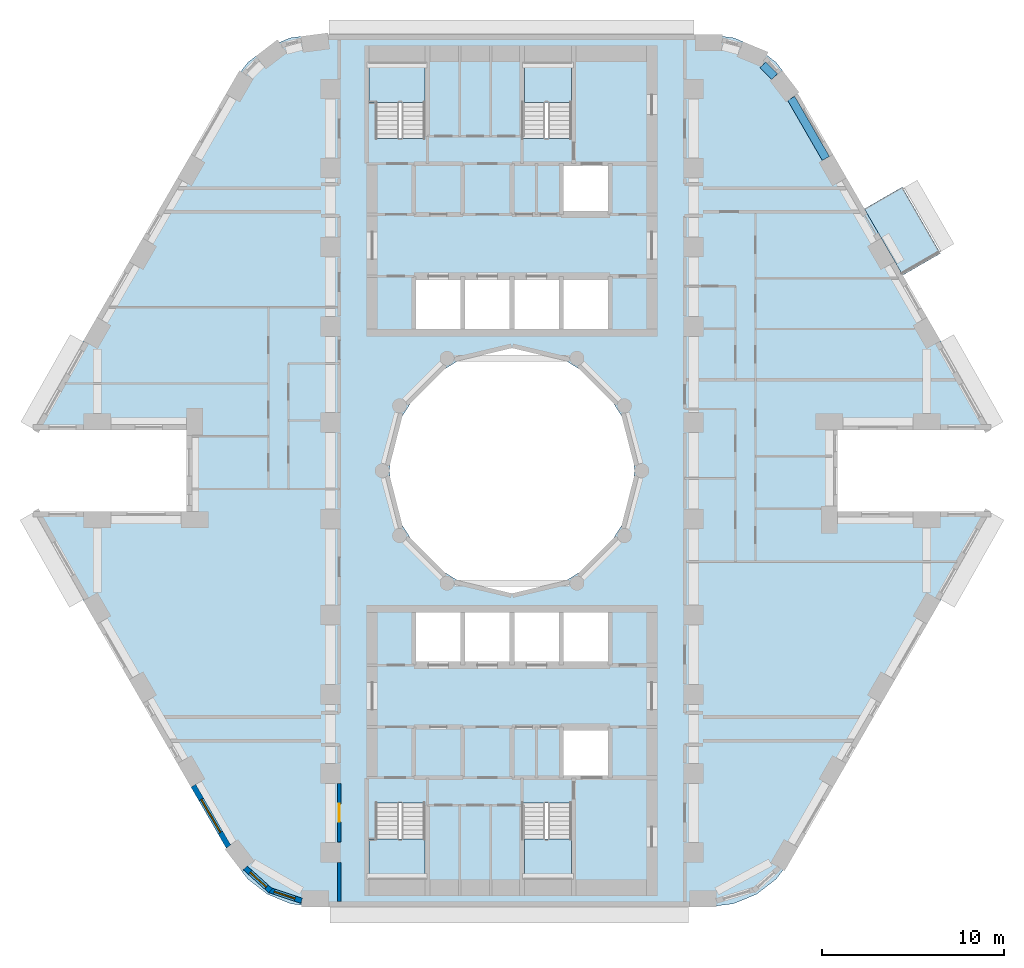
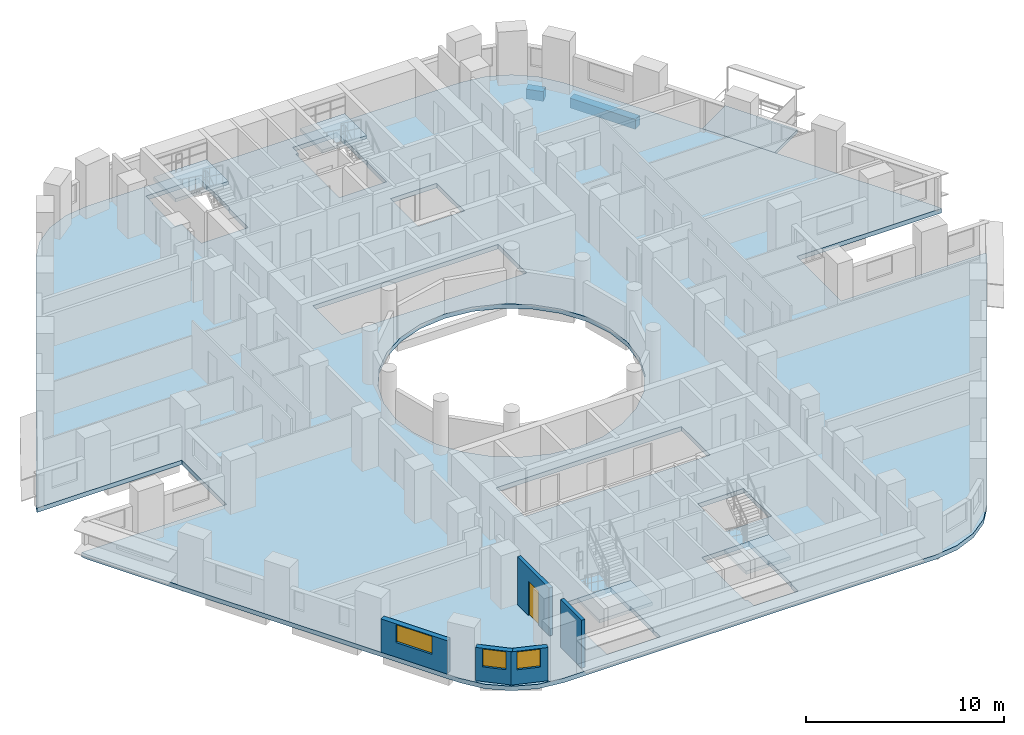
# One storey, part 2 of 13: 6 slabs, 5 walls, 3 windows, 2 beams, 1 door, 4 openings, 4 elements without a shape of their own.
"""IFC4 building model written with IfcOpenShell, lengths in metres."""

import ifcopenshell
import ifcopenshell.guid

model = None  # the IFC model being written
_history = None  # IfcOwnerHistory: only IFC2X3 demands one
_inside = {}  # id of a spatial element -> (the spatial element, [elements in it])
_under = {}  # id of a project, library or spatial element -> (it, [spatial elements below it])
_declared = {}  # id of a project -> (the project, [libraries it declares])
_typed = {}  # id of a type object -> (the type object, [elements of that type])
_made_of = {}  # id of a material, layer set ... -> (it, [elements and type objects made of it])


def new_model(schema):
    """Start an empty IFC model of exactly this schema.

    Asked for "IFC4X3", IfcOpenShell would pick the latest addendum, in which some entities
    have other attributes; the version numbers below select the first issue.
    IFC2X3 requires an IfcOwnerHistory on every rooted entity: one is made here for all.
    """
    global model, _history
    if schema == "IFC4X3":
        model = ifcopenshell.file(schema_version=(4, 3, 0, 0))
    else:
        model = ifcopenshell.file(schema=schema)
    _inside.clear()
    _under.clear()
    _declared.clear()
    _typed.clear()
    _made_of.clear()
    _history = None
    if model.schema == "IFC2X3":
        org = make("IfcOrganization", Name="unknown")
        user = make(
            "IfcPersonAndOrganization",
            ThePerson=make("IfcPerson", FamilyName="unknown"),
            TheOrganization=org,
        )
        app = make(
            "IfcApplication",
            ApplicationDeveloper=org,
            Version="unknown",
            ApplicationFullName="unknown",
            ApplicationIdentifier="unknown",
        )
        _history = make(
            "IfcOwnerHistory",
            OwningUser=user,
            OwningApplication=app,
            ChangeAction="ADDED",
            CreationDate=0,
        )
    return model


def make(cls, **values):
    """One entity of the class cls with the attributes given. An attribute that is None is left unset."""
    return model.create_entity(
        cls, **{name: value for name, value in values.items() if value is not None}
    )


def rooted(cls, **values):
    """An entity with a GlobalId (a new one), such as an element, a storey or a relation."""
    return make(cls, GlobalId=ifcopenshell.guid.new(), OwnerHistory=_history, **values)


def si_unit(unit_type, name, prefix=None):
    """IfcSIUnit, for example si_unit("LENGTHUNIT", "METRE", prefix="MILLI")."""
    return make("IfcSIUnit", UnitType=unit_type, Prefix=prefix, Name=name)


def assignment(units):
    """IfcUnitAssignment: the units of a project."""
    return None if units is None else make("IfcUnitAssignment", Units=units)


def point(xyz):
    """IfcCartesianPoint."""
    return None if xyz is None else make("IfcCartesianPoint", Coordinates=xyz)


def direction(xyz):
    """IfcDirection."""
    return None if xyz is None else make("IfcDirection", DirectionRatios=xyz)


def frame(location, z_axis=None, x_axis=None):
    """IfcAxis2Placement3D, a coordinate frame: its origin and axes. An axis left out is left unset."""
    return make(
        "IfcAxis2Placement3D",
        Location=point(location),
        Axis=direction(z_axis),
        RefDirection=direction(x_axis),
    )


def frame_2d(location, x_axis=None):
    """IfcAxis2Placement2D, a coordinate frame in the plane: its origin and x axis."""
    return make(
        "IfcAxis2Placement2D", Location=point(location), RefDirection=direction(x_axis)
    )


def origin():
    """The frame at (0, 0, 0) with its axes left unset."""
    return frame((0.0, 0.0, 0.0))


def origin_2d():
    """The frame at (0, 0) in the plane with its x axis left unset."""
    return frame_2d((0.0, 0.0))


def place(relative_to, where):
    """IfcLocalPlacement: puts the frame where relative to a parent placement (None: the world)."""
    return make(
        "IfcLocalPlacement", PlacementRelTo=relative_to, RelativePlacement=where
    )


def context(
    kind, dimensions, precision=None, world=None, true_north=None, identifier=None
):
    """IfcGeometricRepresentationContext, for example the 3D "Model" context."""
    return make(
        "IfcGeometricRepresentationContext",
        ContextIdentifier=identifier,
        ContextType=kind,
        CoordinateSpaceDimension=dimensions,
        Precision=precision,
        WorldCoordinateSystem=world,
        TrueNorth=true_north,
    )


def subcontext(parent, identifier, kind, view, scale=None):
    """IfcGeometricRepresentationSubContext, for example "Body" below "Model"."""
    return make(
        "IfcGeometricRepresentationSubContext",
        ContextIdentifier=identifier,
        ContextType=kind,
        ParentContext=parent,
        TargetScale=scale,
        TargetView=view,
    )


def project(units=None, contexts=None):
    """IfcProject with its units and contexts."""
    return rooted(
        "IfcProject",
        Name="project",
        RepresentationContexts=contexts,
        UnitsInContext=assignment(units),
    )


def spatial(cls, under=None, at=None, **own):
    """A site, building, storey or space (cls), placed at a placement, below another one or the project."""
    s = rooted(cls, ObjectPlacement=at, **own)
    if under is not None:
        _under.setdefault(under.id(), (under, []))[1].append(s)
    return s


def polyline(points):
    """IfcPolyline through the points."""
    return make("IfcPolyline", Points=[point(p) for p in points])


def profile(cls, at=None, kind="AREA", **sizes):
    """A parametric profile (cls). Its sizes go by their IFC names, for example OverallWidth=200.0."""
    return make(cls, ProfileType=kind, Position=at, **sizes)


def rectangle(**sizes):
    """IfcRectangleProfileDef."""
    return profile("IfcRectangleProfileDef", **sizes)


def outline(outer, holes=None, kind="AREA"):
    """IfcArbitraryClosedProfileDef: a profile drawn as a closed curve; with holes, ...WithVoids."""
    if holes is None:
        return make("IfcArbitraryClosedProfileDef", ProfileType=kind, OuterCurve=outer)
    return make(
        "IfcArbitraryProfileDefWithVoids",
        ProfileType=kind,
        OuterCurve=outer,
        InnerCurves=holes,
    )


def extrude(swept, where, along, depth):
    """IfcExtrudedAreaSolid: the profile swept, set in the frame where, extruded along a direction by depth."""
    return make(
        "IfcExtrudedAreaSolid",
        SweptArea=swept,
        Position=where,
        ExtrudedDirection=direction(along),
        Depth=depth,
    )


def shape(context_of_items, identifier, shape_type, items):
    """IfcShapeRepresentation: the items that make up one representation, for example the "Body"."""
    return make(
        "IfcShapeRepresentation",
        ContextOfItems=context_of_items,
        RepresentationIdentifier=identifier,
        RepresentationType=shape_type,
        Items=items,
    )


def material(Name=None, Category=None):
    """IfcMaterial."""
    return make("IfcMaterial", Name=Name, Category=Category)


def layer(
    of_material, thickness, ventilated=None, Name=None, Category=None, Priority=None
):
    """IfcMaterialLayer: one layer of a wall or slab, of a material (None: an air gap)."""
    return make(
        "IfcMaterialLayer",
        Material=of_material,
        LayerThickness=thickness,
        IsVentilated=ventilated,
        Name=Name,
        Category=Category,
        Priority=Priority,
    )


def layer_set(layers, Name=None):
    """IfcMaterialLayerSet."""
    return make("IfcMaterialLayerSet", MaterialLayers=layers, LayerSetName=Name)


def material_profile(
    of_material, cross_section, Name=None, Category=None, Priority=None
):
    """IfcMaterialProfile: a cross section and its material."""
    return make(
        "IfcMaterialProfile",
        Name=Name,
        Material=of_material,
        Profile=cross_section,
        Priority=Priority,
        Category=Category,
    )


def profile_set(profiles, Name=None, composite=None):
    """IfcMaterialProfileSet."""
    return make(
        "IfcMaterialProfileSet",
        Name=Name,
        MaterialProfiles=profiles,
        CompositeProfile=composite,
    )


def made_of(thing, what):
    """Note that an element or type object is made of a material, layer set ...; save() writes the relation."""
    if what is not None:
        _made_of.setdefault(what.id(), (what, []))[1].append(thing)
    return thing


def type_object(cls, material=None, **own):
    """A type object (cls), such as IfcWallType, which elements share."""
    return made_of(rooted(cls, **own), material)


def element(
    cls,
    number,
    at=None,
    inside=None,
    cuts=None,
    type_object=None,
    material=None,
    context=None,
    identifier="Body",
    shape_type=None,
    held_by="IfcProductDefinitionShape",
    body=None,
    shapes=None,
    **own,
):
    """One element of the class cls, such as IfcWall. Its Tag is "e" and its number.

    at: its placement. inside: the storey or other place that contains it. cuts: it is an
    opening in that element (IfcRelVoidsElement). A single representation is given by context,
    identifier, shape_type and body (its items); several are given by shapes. held_by: the class
    of the entity that holds the representations. save() writes the other relations.
    """
    e = rooted(cls, Tag="e%d" % number, ObjectPlacement=at, **own)
    if body is not None:
        shapes = [shape(context, identifier, shape_type, body)]
    if shapes is not None:
        e.Representation = make(held_by, Representations=shapes)
    if inside is not None:
        _inside.setdefault(inside.id(), (inside, []))[1].append(e)
    if cuts is not None:
        rooted(
            "IfcRelVoidsElement", RelatingBuildingElement=cuts, RelatedOpeningElement=e
        )
    if type_object is not None:
        _typed.setdefault(type_object.id(), (type_object, []))[1].append(e)
    return made_of(e, material)


def fill(opening, filler):
    """IfcRelFillsElement: the door or window that sits in an opening."""
    return rooted(
        "IfcRelFillsElement",
        RelatingOpeningElement=opening,
        RelatedBuildingElement=filler,
    )


def aggregate(whole, parts):
    """IfcRelAggregates: a whole, such as a stair, and the parts it consists of."""
    return rooted("IfcRelAggregates", RelatingObject=whole, RelatedObjects=parts)


def save(model, path):
    """Write the relations noted so far, then the file.

    IfcRelAggregates (storeys below a building ...), IfcRelContainedInSpatialStructure (elements
    in a storey), IfcRelDefinesByType, IfcRelAssociatesMaterial and IfcRelDeclares: one each for
    every whole, place, type object, material and project.
    """
    for whole, parts in _under.values():
        aggregate(whole, parts)
    for where, things in _inside.values():
        rooted(
            "IfcRelContainedInSpatialStructure",
            RelatedElements=things,
            RelatingStructure=where,
        )
    for kind, things in _typed.values():
        rooted("IfcRelDefinesByType", RelatedObjects=things, RelatingType=kind)
    for what, things in _made_of.values():
        rooted("IfcRelAssociatesMaterial", RelatedObjects=things, RelatingMaterial=what)
    for by, libraries in _declared.values():
        rooted("IfcRelDeclares", RelatingContext=by, RelatedDefinitions=libraries)
    model.write(path)


model = new_model("IFC4")

# Units and contexts
model_context = context("Model", 3, precision=1e-05, world=origin(), true_north=direction((0.0, 1.0)))
body_context = subcontext(model_context, "Body", "Model", "MODEL_VIEW")
ifc_project = project(units=[si_unit("LENGTHUNIT", "METRE"), si_unit("AREAUNIT", "SQUARE_METRE"), si_unit("VOLUMEUNIT", "CUBIC_METRE"), si_unit("PLANEANGLEUNIT", "RADIAN"), si_unit("MASSUNIT", "GRAM", prefix="KILO")], contexts=[model_context])

# Site, building, storey
site_placement = place(None, origin())
site = spatial("IfcSite", under=ifc_project, at=site_placement, CompositionType="ELEMENT")
building_placement = place(site_placement, origin())
building = spatial("IfcBuilding", under=site, at=building_placement, Name="Nakaniwa Court", CompositionType="ELEMENT")
storey_placement = place(building_placement, frame((0.0, 0.0, 67.800048828125)))
storey = spatial("IfcBuildingStorey", under=building, at=storey_placement, Name="L18", CompositionType="ELEMENT", Elevation=67.800048828125)

# Beams
ifc_material_1 = material(Name="Concrete C100/115", Category="concrete")
ifc_material_profile = material_profile(ifc_material_1, rectangle(XDim=0.449951171875, YDim=0.60009765625, at=origin_2d()), Name="Concrete C100/115 RC 450x600 spandrel beam")
ifc_profile_set = profile_set([ifc_material_profile], Name="Concrete C100/115")
beam_type = type_object("IfcBeamType", Name="Concrete C100/115 RC 450x600 spandrel beam", PredefinedType="BEAM", material=ifc_profile_set)
beam_1_placement = place(storey_placement, frame((97.2705078125, 97.1865234375, -0.574951171875), z_axis=(-0.500023067617, 0.86601208528, 0.0), x_axis=(-0.86601208528, -0.500023067617, 0.0)))
element("IfcBeam", 1, at=beam_1_placement, inside=storey, type_object=beam_type, Name="SPANDREL BEAM", PredefinedType="BEAM", context=body_context, shape_type="SweptSolid", body=[
    extrude(rectangle(XDim=0.449951171875, YDim=0.60009765625, at=origin_2d()), origin(), (0.0, 0.0, 1.0), 3.819580078125),
])
beam_2_placement = place(storey_placement, frame((94.448486328125, 101.68505859375, -0.574951171875), z_axis=(-0.705908410536, 0.708303124329, 0.0), x_axis=(-0.708303124329, -0.705908410536, 0.0)))
element("IfcBeam", 2, at=beam_2_placement, inside=storey, type_object=beam_type, Name="SPANDREL BEAM", PredefinedType="BEAM", context=body_context, shape_type="SweptSolid", body=[
    extrude(rectangle(XDim=0.449951171875, YDim=0.60009765625, at=origin_2d()), origin(), (0.0, 0.0, 1.0), 0.91748046875),
])

# Slabs
ifc_material_2 = material(Name="Charcoal ceramic paver")
ifc_layer_1 = layer(ifc_material_2, 0.02, Name="Ceramic paver")
ifc_material_3 = material(Name="Cement sand screed")
ifc_layer_2 = layer(ifc_material_3, 0.03, Name="Falls screed")
ifc_material_4 = material(Name="Concrete C40/50", Category="concrete")
ifc_layer_3 = layer(ifc_material_4, 0.15, Name="Balcony slab")
ifc_layer_set_1 = layer_set([ifc_layer_1, ifc_layer_2, ifc_layer_3], Name="Concrete C40/50 balcony slab with ceramic paver finish")
slab_type_1 = type_object("IfcSlabType", Name="Balcony slab 200", PredefinedType="FLOOR", material=ifc_layer_set_1)
slab_1_placement = place(storey_placement, frame((0.0, 0.0, -0.25)))
element("IfcSlab", 3, at=slab_1_placement, inside=storey, type_object=slab_type_1, Name="L18 balcony 01", PredefinedType="FLOOR", context=body_context, shape_type="SweptSolid", body=[
    extrude(outline(polyline([(101.50048828125, 90.760009765625), (99.393310546875, 94.409912109375), (101.4716796875, 95.610107421875), (103.5791015625, 91.9599609375), (101.50048828125, 90.760009765625)])), origin(), (0.0, 0.0, 1.0), 0.199951171875),
])
ifc_layer_4 = layer(ifc_material_1, 0.27490234375)
ifc_layer_set_2 = layer_set([ifc_layer_4], Name="Concrete C100/115")
slab_type_2 = type_object("IfcSlabType", Name="Concrete C100/115 post tensioned floor slab 275", PredefinedType="FLOOR", material=ifc_layer_set_2)
slab_2_placement = place(storey_placement, frame((0.0, 0.0, -0.275146484375)))
element("IfcSlab", 4, at=slab_2_placement, inside=storey, type_object=slab_type_2, Name="FLOOR SLAB", PredefinedType="FLOOR", context=body_context, shape_type="SweptSolid", body=[
    extrude(outline(polyline([(97.908447265625, 82.25), (106.356689453125, 82.25), (106.211669921875, 82.60009765625), (95.357421875, 101.39990234375), (94.531005859375, 102.47705078125), (93.4541015625, 103.30322265625), (92.199951171875, 103.82275390625), (90.854248046875, 104.0), (69.145751953125, 104.0), (67.800048828125, 103.82275390625), (66.5458984375, 103.30322265625), (65.468994140625, 102.47705078125), (64.642578125, 101.39990234375), (53.788330078125, 82.60009765625), (53.643310546875, 82.25), (62.091552734375, 82.25), (62.091552734375, 77.75), (53.643310546875, 77.75), (53.788330078125, 77.39990234375), (64.642578125, 58.60009765625), (65.468994140625, 57.52294921875), (66.5458984375, 56.69677734375), (67.800048828125, 56.17724609375), (69.145751953125, 56.0), (90.854248046875, 56.0), (92.199951171875, 56.17724609375), (93.4541015625, 56.69677734375), (94.531005859375, 57.52294921875), (95.357421875, 58.60009765625), (106.211669921875, 77.39990234375), (106.356689453125, 77.75), (97.908447265625, 77.75), (97.908447265625, 82.25)]), holes=[polyline([(81.501953125, 86.580810546875), (80.0, 86.75), (78.498046875, 86.580810546875), (77.0712890625, 86.08154296875), (75.79150390625, 85.27734375), (74.72265625, 84.20849609375), (73.91845703125, 82.9287109375), (73.419189453125, 81.501953125), (73.25, 80.0), (73.419189453125, 78.498046875), (73.91845703125, 77.0712890625), (74.72265625, 75.79150390625), (75.79150390625, 74.72265625), (77.0712890625, 73.91845703125), (78.498046875, 73.419189453125), (80.0, 73.25), (81.501953125, 73.419189453125), (82.9287109375, 73.91845703125), (84.20849609375, 74.72265625), (85.27734375, 75.79150390625), (86.08154296875, 77.0712890625), (86.580810546875, 78.498046875), (86.75, 80.0), (86.580810546875, 81.501953125), (86.08154296875, 82.9287109375), (85.27734375, 84.20849609375), (84.20849609375, 85.27734375), (82.9287109375, 86.08154296875), (81.501953125, 86.580810546875)]), polyline([(75.264892578125, 57.4599609375), (75.264892578125, 59.764892578125), (75.22509765625, 59.764892578125), (75.22509765625, 61.7099609375), (72.47509765625, 61.7099609375), (72.47509765625, 59.764892578125), (72.0849609375, 59.764892578125), (72.0849609375, 57.4599609375), (72.125, 57.4599609375), (72.125, 56.72509765625), (75.22509765625, 56.72509765625), (75.22509765625, 57.324951171875), (75.22509765625, 57.4599609375), (75.264892578125, 57.4599609375)]), polyline([(80.0, 69.300048828125), (82.699951171875, 69.300048828125), (85.39990234375, 69.300048828125), (85.39990234375, 72.199951171875), (82.699951171875, 72.199951171875), (80.0, 72.199951171875), (77.300048828125, 72.199951171875), (74.60009765625, 72.199951171875), (74.60009765625, 69.300048828125), (77.300048828125, 69.300048828125), (80.0, 69.300048828125)]), polyline([(80.0, 87.800048828125), (82.699951171875, 87.800048828125), (85.39990234375, 87.800048828125), (85.39990234375, 90.699951171875), (82.699951171875, 90.699951171875), (80.0, 90.699951171875), (77.300048828125, 90.699951171875), (74.60009765625, 90.699951171875), (74.60009765625, 87.800048828125), (77.300048828125, 87.800048828125), (80.0, 87.800048828125)]), polyline([(75.264892578125, 100.235107421875), (75.264892578125, 102.5400390625), (75.22509765625, 102.5400390625), (75.22509765625, 102.675048828125), (75.22509765625, 103.27490234375), (72.125, 103.27490234375), (72.125, 102.5400390625), (72.0849609375, 102.5400390625), (72.0849609375, 100.235107421875), (72.47509765625, 100.235107421875), (72.47509765625, 98.2900390625), (75.22509765625, 98.2900390625), (75.22509765625, 100.235107421875), (75.264892578125, 100.235107421875)]), polyline([(83.27490234375, 61.7099609375), (80.52490234375, 61.7099609375), (80.52490234375, 57.324951171875), (80.675048828125, 57.324951171875), (80.675048828125, 56.72509765625), (83.27490234375, 56.72509765625), (83.27490234375, 57.324951171875), (83.27490234375, 57.4599609375), (83.31494140625, 57.4599609375), (83.31494140625, 59.764892578125), (83.27490234375, 59.764892578125), (83.27490234375, 61.7099609375)]), polyline([(85.39990234375, 65.89990234375), (82.699951171875, 65.89990234375), (82.699951171875, 63.10009765625), (85.39990234375, 63.10009765625), (85.39990234375, 65.89990234375)]), polyline([(85.39990234375, 96.89990234375), (82.699951171875, 96.89990234375), (82.699951171875, 94.10009765625), (85.39990234375, 94.10009765625), (85.39990234375, 96.89990234375)]), polyline([(83.27490234375, 100.235107421875), (83.31494140625, 100.235107421875), (83.31494140625, 102.5400390625), (83.27490234375, 102.5400390625), (83.27490234375, 102.675048828125), (83.27490234375, 103.27490234375), (80.675048828125, 103.27490234375), (80.675048828125, 102.675048828125), (80.52490234375, 102.675048828125), (80.52490234375, 98.2900390625), (83.27490234375, 98.2900390625), (83.27490234375, 100.235107421875)])]), origin(), (0.0, 0.0, 1.0), 0.275146484375),
])

# Stair, slab
ifc_material_5 = material(Name="Concrete C80/100", Category="concrete")
stair_type = type_object("IfcStairType", Name="Dog leg stair 1300 wide 18 risers", PredefinedType="HALF_TURN_STAIR", material=ifc_material_5)
stair_1_placement = place(storey_placement, origin())
stair_1 = element("IfcStair", 5, at=stair_1_placement, inside=storey, type_object=stair_type, Name="L18 Stair ST1", PredefinedType="HALF_TURN_STAIR")
ifc_layer_5 = layer(ifc_material_5, 0.199951171875)
ifc_layer_set_3 = layer_set([ifc_layer_5], Name="Concrete C80/100")
slab_type_3 = type_object("IfcSlabType", Name="Stair landing concrete", PredefinedType="LANDING", material=ifc_layer_set_3)
slab_3_placement = place(storey_placement, frame((0.0, 0.0, 1.449951171875)))
slab_3 = element("IfcSlab", 6, at=slab_3_placement, type_object=slab_type_3, Name="ST1 landing 1", PredefinedType="LANDING", context=body_context, shape_type="SweptSolid", body=[
    extrude(outline(polyline([(75.22509765625, 100.27490234375), (75.22509765625, 102.5), (72.125, 102.5), (72.125, 100.27490234375), (75.22509765625, 100.27490234375)])), origin(), (0.0, 0.0, 1.0), 0.199951171875),
])
aggregate(stair_1, [slab_3])

stair_2_placement = place(storey_placement, origin())
stair_2 = element("IfcStair", 7, at=stair_2_placement, inside=storey, type_object=stair_type, Name="L18 Stair ST2", PredefinedType="HALF_TURN_STAIR")
slab_4_placement = place(storey_placement, frame((0.0, 0.0, 1.449951171875)))
slab_4 = element("IfcSlab", 8, at=slab_4_placement, type_object=slab_type_3, Name="ST2 landing 1", PredefinedType="LANDING", context=body_context, shape_type="SweptSolid", body=[
    extrude(outline(polyline([(83.27490234375, 100.27490234375), (83.27490234375, 102.5), (80.675048828125, 102.5), (80.675048828125, 100.27490234375), (83.27490234375, 100.27490234375)])), origin(), (0.0, 0.0, 1.0), 0.199951171875),
])
aggregate(stair_2, [slab_4])

stair_3_placement = place(storey_placement, origin())
stair_3 = element("IfcStair", 9, at=stair_3_placement, inside=storey, type_object=stair_type, Name="L18 Stair ST3", PredefinedType="HALF_TURN_STAIR")
slab_5_placement = place(storey_placement, frame((0.0, 0.0, 1.449951171875)))
slab_5 = element("IfcSlab", 10, at=slab_5_placement, type_object=slab_type_3, Name="ST3 landing 1", PredefinedType="LANDING", context=body_context, shape_type="SweptSolid", body=[
    extrude(outline(polyline([(75.22509765625, 57.5), (75.22509765625, 59.72509765625), (72.125, 59.72509765625), (72.125, 57.5), (75.22509765625, 57.5)])), origin(), (0.0, 0.0, 1.0), 0.199951171875),
])
aggregate(stair_3, [slab_5])

stair_4_placement = place(storey_placement, origin())
stair_4 = element("IfcStair", 11, at=stair_4_placement, inside=storey, type_object=stair_type, Name="L18 Stair ST4", PredefinedType="HALF_TURN_STAIR")
slab_6_placement = place(storey_placement, frame((0.0, 0.0, 1.449951171875)))
slab_6 = element("IfcSlab", 12, at=slab_6_placement, type_object=slab_type_3, Name="ST4 landing 1", PredefinedType="LANDING", context=body_context, shape_type="SweptSolid", body=[
    extrude(outline(polyline([(83.27490234375, 57.5), (83.27490234375, 59.72509765625), (80.675048828125, 59.72509765625), (80.675048828125, 57.5), (83.27490234375, 57.5)])), origin(), (0.0, 0.0, 1.0), 0.199951171875),
])
aggregate(stair_4, [slab_6])

# Wall
ifc_material_6 = material(Name="Acoustic double stud partition")
ifc_layer_6 = layer(ifc_material_6, 0.199951171875)
ifc_layer_set_4 = layer_set([ifc_layer_6], Name="Acoustic double stud partition")
wall_type_1 = type_object("IfcWallType", Name="Acoustic double stud partition 200", PredefinedType="PARTITIONING", material=ifc_layer_set_4)
wall_1_placement = place(storey_placement, frame((70.5, 56.300048828125, 0.0), z_axis=(0.0, 0.0, 1.0), x_axis=(0.0, 1.0, 0.0)))
element("IfcWall", 13, at=wall_1_placement, inside=storey, type_object=wall_type_1, Name="Partition PW-100", PredefinedType="PARTITIONING", context=body_context, shape_type="SweptSolid", body=[
    extrude(rectangle(XDim=2.133056640625, YDim=0.199951171875, at=frame_2d((1.06640625, 0.0))), origin(), (0.0, 0.0, 1.0), 2.949951171875),
])

# Wall, opening, door
wall_2_placement = place(storey_placement, frame((70.5, 59.56689453125, 0.0), z_axis=(0.0, 0.0, 1.0), x_axis=(0.0, 1.0, 0.0)))
wall_2 = element("IfcWall", 14, at=wall_2_placement, inside=storey, type_object=wall_type_1, Name="Partition PW-101", PredefinedType="PARTITIONING", context=body_context, shape_type="SweptSolid", body=[
    extrude(rectangle(XDim=3.216064453125, YDim=0.199951171875, at=frame_2d((1.60791015625, 0.0))), origin(), (0.0, 0.0, 1.0), 2.949951171875),
])
opening_1_placement = place(wall_2_placement, frame((1.10791015625, 0.0, 0.0)))
opening_1 = element("IfcOpeningElement", 15, at=opening_1_placement, cuts=wall_2, Name="Opening D-02-04", PredefinedType="OPENING", context=body_context, shape_type="SweptSolid", body=[
    extrude(rectangle(XDim=1.0, YDim=2.10009765625, at=frame_2d((0.5, 1.050048828125))), frame((0.0, 0.10986328125, 0.0), z_axis=(0.0, -1.0, 0.0), x_axis=(1.0, 0.0, 0.0)), (0.0, 0.0, 1.0), 0.219970703125),
])
ifc_material_7 = material(Name="Solid core timber door set, black veneer", Category="wood")
door_type = type_object("IfcDoorType", Name="Internal door 1000", OperationType="NOTDEFINED", PredefinedType="DOOR", material=ifc_material_7)
door_placement = place(opening_1_placement, origin())
door = element("IfcDoor", 16, at=door_placement, inside=storey, type_object=door_type, Name="Door D-02-04 L18-044", OperationType="SINGLE_SWING_LEFT", OverallHeight=2.10009765625, OverallWidth=1.0, PredefinedType="DOOR", context=body_context, shape_type="SweptSolid", body=[
    extrude(rectangle(XDim=1.0, YDim=2.10009765625, at=frame_2d((0.5, 1.050048828125))), frame((0.0, 0.02490234375, 0.0), z_axis=(0.0, -1.0, 0.0), x_axis=(1.0, 0.0, 0.0)), (0.0, 0.0, 1.0), 0.050048828125),
])
fill(opening_1, door)

# Wall, opening, window
ifc_material_8 = material(Name="Charcoal ceramic cladding")
ifc_layer_7 = layer(ifc_material_8, 0.02, Name="Ceramic cladding")
ifc_material_9 = material(Name="Ventilated air cavity")
ifc_layer_8 = layer(ifc_material_9, 0.04, ventilated=True, Name="Ventilated cavity")
ifc_material_10 = material(Name="Mineral wool insulation")
ifc_layer_9 = layer(ifc_material_10, 0.1, Name="Insulation")
ifc_material_11 = material(Name="Cement bonded sheathing board")
ifc_layer_10 = layer(ifc_material_11, 0.012, Name="Sheathing")
ifc_material_12 = material(Name="Cold-formed galvanised stud frame with mineral wool infill")
ifc_layer_11 = layer(ifc_material_12, 0.1, Name="Stud frame")
ifc_material_13 = material(Name="Fire-rated gypsum plasterboard lining")
ifc_layer_12 = layer(ifc_material_13, 0.028, Name="Lining")
ifc_layer_set_5 = layer_set([ifc_layer_7, ifc_layer_8, ifc_layer_9, ifc_layer_10, ifc_layer_11, ifc_layer_12], Name="Charcoal ceramic faced external wall system")
wall_type_2 = type_object("IfcWallType", Name="Black ceramic faced external wall 300", PredefinedType="SOLIDWALL", material=ifc_layer_set_5)
wall_3_placement = place(storey_placement, frame((62.4677734375, 62.6669921875, 0.0), z_axis=(0.0, 0.0, 1.0), x_axis=(0.499948341072, -0.866055227026, 0.0)))
wall_3 = element("IfcWall", 17, at=wall_3_placement, inside=storey, type_object=wall_type_2, Name="L18 external wall 23", PredefinedType="SOLIDWALL", context=body_context, shape_type="SweptSolid", body=[
    extrude(rectangle(XDim=3.8671875, YDim=0.300048828125, at=frame_2d((1.93359375, 0.0))), origin(), (0.0, 0.0, 1.0), 2.050048828125),
])
opening_2_placement = place(wall_3_placement, frame((0.872314453125, 0.0, 0.89990234375)))
opening_2 = element("IfcOpeningElement", 18, at=opening_2_placement, cuts=wall_3, Name="Opening W7.26", PredefinedType="OPENING", context=body_context, shape_type="SweptSolid", body=[
    extrude(rectangle(XDim=2.10009765625, YDim=1.10009765625, at=frame_2d((1.050048828125, 0.550048828125))), frame((0.0, 0.159912109375, 0.0), z_axis=(0.0, -1.0, 0.0), x_axis=(1.0, 0.0, 0.0)), (0.0, 0.0, 1.0), 0.320068359375),
])
ifc_material_14 = material(Name="Black anodised aluminium frame with dark low-E laminated double glazing", Category="aluminium")
window_type_1 = type_object("IfcWindowType", Name="Dark glass window 2100x1100 sill 900", PartitioningType="SINGLE_PANEL", PredefinedType="WINDOW", material=ifc_material_14)
window_1_placement = place(opening_2_placement, origin())
window_1 = element("IfcWindow", 19, at=window_1_placement, inside=storey, type_object=window_type_1, Name="L18 habitable room window 23-0", OverallHeight=1.10009765625, OverallWidth=2.10009765625, PartitioningType="SINGLE_PANEL", PredefinedType="WINDOW", context=body_context, shape_type="SweptSolid", body=[
    extrude(rectangle(XDim=2.10009765625, YDim=1.10009765625, at=frame_2d((1.050048828125, 0.550048828125))), frame((0.0, 0.030029296875, 0.0), z_axis=(0.0, -1.0, 0.0), x_axis=(1.0, 0.0, 0.0)), (0.0, 0.0, 1.0), 0.06005859375),
])
fill(opening_2, window_1)

wall_4_placement = place(storey_placement, frame((65.3203125, 58.142578125, 0.0), z_axis=(0.0, 0.0, 1.0), x_axis=(0.7435526378, -0.668677407141, 0.0)))
wall_4 = element("IfcWall", 20, at=wall_4_placement, inside=storey, type_object=wall_type_2, Name="L18 external wall 24", PredefinedType="SOLIDWALL", context=body_context, shape_type="SweptSolid", body=[
    extrude(rectangle(XDim=1.878173828125, YDim=0.300048828125, at=frame_2d((0.93896484375, 0.0))), origin(), (0.0, 0.0, 1.0), 2.050048828125),
])
opening_3_placement = place(wall_4_placement, frame((0.366943359375, 0.0, 0.89990234375)))
opening_3 = element("IfcOpeningElement", 21, at=opening_3_placement, cuts=wall_4, Name="Opening W6.27", PredefinedType="OPENING", context=body_context, shape_type="SweptSolid", body=[
    extrude(rectangle(XDim=1.199951171875, YDim=1.10009765625, at=frame_2d((0.60009765625, 0.550048828125))), frame((0.0, 0.159912109375, 0.0), z_axis=(0.0, -1.0, 0.0), x_axis=(1.0, 0.0, 0.0)), (0.0, 0.0, 1.0), 0.320068359375),
])
window_type_2 = type_object("IfcWindowType", Name="Dark glass window 1200x1100 sill 900", PartitioningType="SINGLE_PANEL", PredefinedType="WINDOW", material=ifc_material_14)
window_2_placement = place(opening_3_placement, origin())
window_2 = element("IfcWindow", 22, at=window_2_placement, inside=storey, type_object=window_type_2, Name="L18 habitable room window 24-0", OverallHeight=1.10009765625, OverallWidth=1.199951171875, PartitioningType="SINGLE_PANEL", PredefinedType="WINDOW", context=body_context, shape_type="SweptSolid", body=[
    extrude(rectangle(XDim=1.199951171875, YDim=1.10009765625, at=frame_2d((0.60009765625, 0.550048828125))), frame((0.0, 0.030029296875, 0.0), z_axis=(0.0, -1.0, 0.0), x_axis=(1.0, 0.0, 0.0)), (0.0, 0.0, 1.0), 0.06005859375),
])
fill(opening_3, window_2)

wall_5_placement = place(storey_placement, frame((66.6240234375, 56.932861328125, 0.0), z_axis=(0.0, 0.0, 1.0), x_axis=(0.949246659442, -0.314532636683, 0.0)))
wall_5 = element("IfcWall", 23, at=wall_5_placement, inside=storey, type_object=wall_type_2, Name="L18 external wall 25", PredefinedType="SOLIDWALL", context=body_context, shape_type="SweptSolid", body=[
    extrude(rectangle(XDim=1.901611328125, YDim=0.300048828125, at=frame_2d((0.95068359375, 0.0))), origin(), (0.0, 0.0, 1.0), 2.050048828125),
])
opening_4_placement = place(wall_5_placement, frame((0.31005859375, 0.0, 0.89990234375)))
opening_4 = element("IfcOpeningElement", 24, at=opening_4_placement, cuts=wall_5, Name="Opening W6.28", PredefinedType="OPENING", context=body_context, shape_type="SweptSolid", body=[
    extrude(rectangle(XDim=1.199951171875, YDim=1.10009765625, at=frame_2d((0.60009765625, 0.550048828125))), frame((0.0, 0.159912109375, 0.0), z_axis=(0.0, -1.0, 0.0), x_axis=(1.0, 0.0, 0.0)), (0.0, 0.0, 1.0), 0.320068359375),
])
window_3_placement = place(opening_4_placement, origin())
window_3 = element("IfcWindow", 25, at=window_3_placement, inside=storey, type_object=window_type_2, Name="L18 habitable room window 25-0", OverallHeight=1.10009765625, OverallWidth=1.199951171875, PartitioningType="SINGLE_PANEL", PredefinedType="WINDOW", context=body_context, shape_type="SweptSolid", body=[
    extrude(rectangle(XDim=1.199951171875, YDim=1.10009765625, at=frame_2d((0.60009765625, 0.550048828125))), frame((0.0, 0.030029296875, 0.0), z_axis=(0.0, -1.0, 0.0), x_axis=(1.0, 0.0, 0.0)), (0.0, 0.0, 1.0), 0.06005859375),
])
fill(opening_4, window_3)

save(model, "model.ifc")
